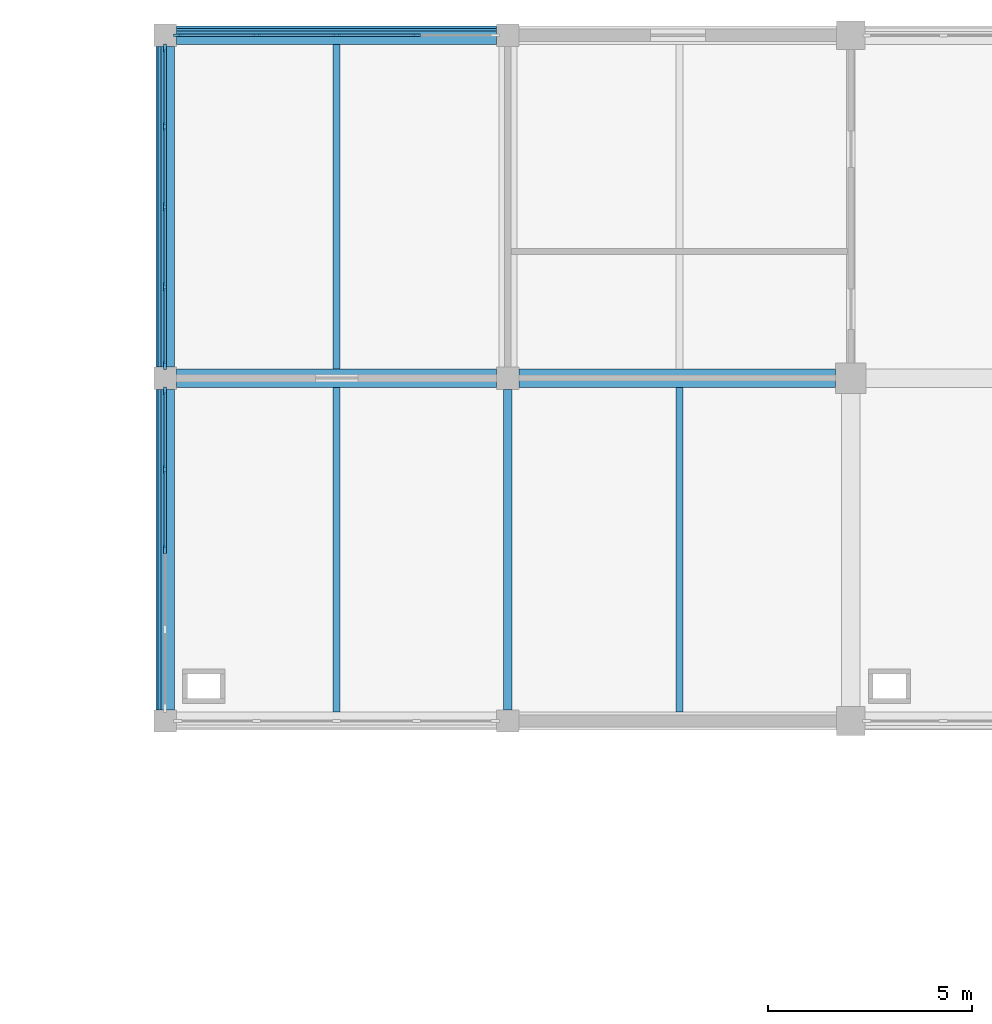
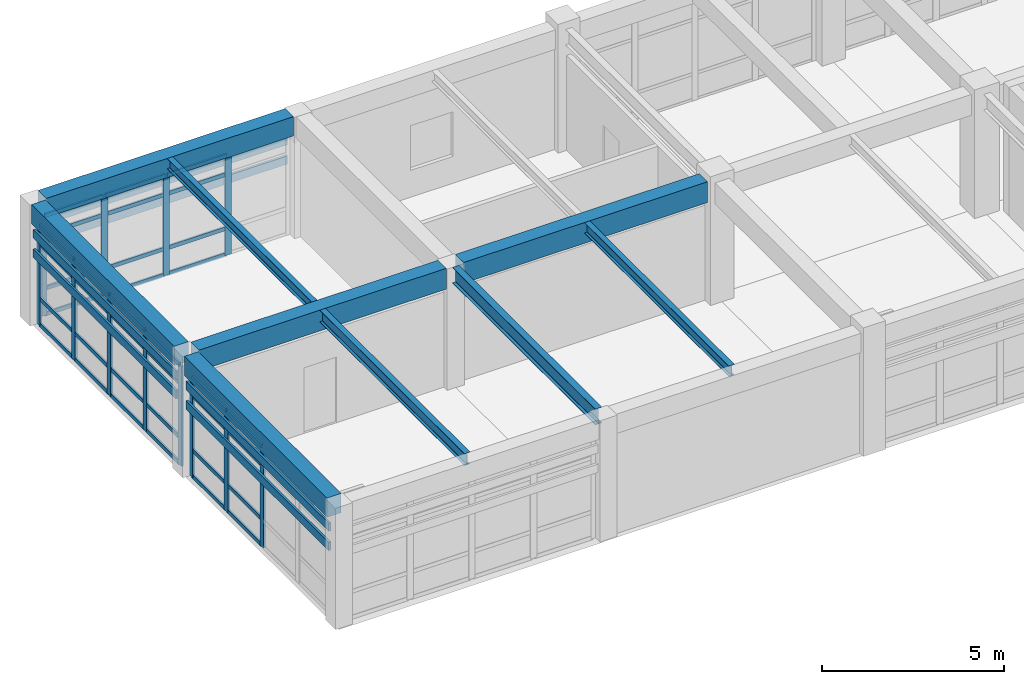
# One storey, part 31 of 74: 54 members, 9 beams, 3 elements without a shape of their own.
"""IFC4 building model written with IfcOpenShell, lengths in metres."""

from ifc_helpers import new_model, si_unit, direction, frame, origin, origin_2d, place, context, subcontext, project, spatial, rectangle, i_section, extrude, material, layer, layer_set, material_profile, profile_set, type_object, element, aggregate, save


model = new_model("IFC4")

# Units and contexts
model_context = context("Model", 3, precision=1e-05, world=origin(), true_north=direction((0.0, 1.0)))
body_context = subcontext(model_context, "Body", "Model", "MODEL_VIEW")
ifc_project = project(units=[si_unit("LENGTHUNIT", "METRE"), si_unit("AREAUNIT", "SQUARE_METRE"), si_unit("VOLUMEUNIT", "CUBIC_METRE"), si_unit("PLANEANGLEUNIT", "RADIAN"), si_unit("MASSUNIT", "GRAM", prefix="KILO")], contexts=[model_context])

# Site, building, storey
site_placement = place(None, origin())
site = spatial("IfcSite", under=ifc_project, at=site_placement, CompositionType="ELEMENT")
building_placement = place(site_placement, origin())
building = spatial("IfcBuilding", under=site, at=building_placement, Name="Porcellanite Civic Hall", CompositionType="ELEMENT")
storey_placement = place(building_placement, frame((0.0, 0.0, 14.760009765625)))
storey = spatial("IfcBuildingStorey", under=building, at=storey_placement, Name="L03", CompositionType="ELEMENT", Elevation=14.760009765625)

# Beams
ifc_material_1 = material(Name="Concrete N50 (50 MPa)", Category="concrete")
ifc_material_profile_1 = material_profile(ifc_material_1, rectangle(XDim=0.449951171875, YDim=0.64990234375, at=origin_2d()), Name="RC-450x650")
ifc_profile_set_1 = profile_set([ifc_material_profile_1], Name="Concrete N50 (50 MPa)")
beam_type_1 = type_object("IfcBeamType", Name="BM-RC650", PredefinedType="SPANDREL", material=ifc_profile_set_1)
beam_1_placement = place(storey_placement, frame((25.474609375, 117.60009765625, 3.744873046875), z_axis=(1.0, 0.0, 0.0), x_axis=(0.0, 1.0, 0.0)))
element("IfcBeam", 1, at=beam_1_placement, inside=storey, type_object=beam_type_1, Name="Beam X L03 4-15", PredefinedType="SPANDREL", context=body_context, shape_type="SweptSolid", body=[
    extrude(rectangle(XDim=0.449951171875, YDim=0.64990234375, at=origin_2d()), origin(), (0.0, 0.0, 1.0), 7.850830078125),
])
beam_2_placement = place(storey_placement, frame((25.199951171875, 101.074462890625, 3.744873046875), z_axis=(0.0, 1.0, 0.0), x_axis=(-1.0, 0.0, 0.0)))
element("IfcBeam", 2, at=beam_2_placement, inside=storey, type_object=beam_type_1, Name="Beam Y L03 4-13", PredefinedType="SPANDREL", context=body_context, shape_type="SweptSolid", body=[
    extrude(rectangle(XDim=0.449951171875, YDim=0.64990234375, at=origin_2d()), origin(), (0.0, 0.0, 1.0), 7.85107421875),
])
beam_3_placement = place(storey_placement, frame((25.199951171875, 109.474609375, 3.744873046875), z_axis=(0.0, 1.0, 0.0), x_axis=(-1.0, 0.0, 0.0)))
element("IfcBeam", 3, at=beam_3_placement, inside=storey, type_object=beam_type_1, Name="Beam Y L03 4-14", PredefinedType="SPANDREL", context=body_context, shape_type="SweptSolid", body=[
    extrude(rectangle(XDim=0.449951171875, YDim=0.64990234375, at=origin_2d()), origin(), (0.0, 0.0, 1.0), 7.850830078125),
])
ifc_material_2 = material(Name="Concrete N50 (50 MPa)", Category="concrete")
ifc_material_profile_2 = material_profile(ifc_material_2, rectangle(XDim=0.449951171875, YDim=0.699951171875, at=origin_2d()), Name="RC-450x700")
ifc_profile_set_2 = profile_set([ifc_material_profile_2], Name="Concrete N50 (50 MPa)")
beam_type_2 = type_object("IfcBeamType", Name="BM-RC700", PredefinedType="BEAM", material=ifc_profile_set_2)
beam_4_placement = place(storey_placement, frame((25.474609375, 109.199951171875, 3.719970703125), z_axis=(1.0, 0.0, 0.0), x_axis=(0.0, 1.0, 0.0)))
element("IfcBeam", 4, at=beam_4_placement, inside=storey, type_object=beam_type_2, Name="Beam X L03 4-14", PredefinedType="BEAM", context=body_context, shape_type="SweptSolid", body=[
    extrude(rectangle(XDim=0.449951171875, YDim=0.699951171875, at=origin_2d()), origin(), (0.0, 0.0, 1.0), 7.850830078125),
])
beam_5_placement = place(storey_placement, frame((33.87451171875, 109.199951171875, 3.719970703125), z_axis=(1.0, 0.0, 0.0), x_axis=(0.0, 1.0, 0.0)))
element("IfcBeam", 5, at=beam_5_placement, inside=storey, type_object=beam_type_2, Name="Beam X L03 5-14", PredefinedType="BEAM", context=body_context, shape_type="SweptSolid", body=[
    extrude(rectangle(XDim=0.449951171875, YDim=0.699951171875, at=origin_2d()), origin(), (0.0, 0.0, 1.0), 7.7509765625),
])

# Curtain wall, members
ifc_material_3 = material(Name="Anodised aluminium and solar laminated glass", Category="aluminium")
ifc_layer = layer(ifc_material_3, 0.179931640625)
ifc_layer_set = layer_set([ifc_layer], Name="Anodised aluminium and solar laminated glass")
curtain_wall_type = type_object("IfcCurtainWallType", Name="CW-SYS05", PredefinedType="NOTDEFINED", material=ifc_layer_set)
curtain_wall_1_placement = place(storey_placement, origin())
curtain_wall_1 = element("IfcCurtainWall", 6, at=curtain_wall_1_placement, inside=storey, type_object=curtain_wall_type, Name="Curtain wall CW-188", PredefinedType="NOTDEFINED")
ifc_material_4 = material(Name="Anodised aluminium 6063-T6", Category="aluminium")
ifc_material_profile_3 = material_profile(ifc_material_4, rectangle(XDim=0.070068359375, YDim=0.199951171875, at=origin_2d()), Name="AL-70x200")
ifc_profile_set_3 = profile_set([ifc_material_profile_3], Name="Anodised aluminium 6063-T6")
member_type_1 = type_object("IfcMemberType", Name="CWM-05", PredefinedType="MULLION", material=ifc_profile_set_3)
member_1_placement = place(storey_placement, frame((25.199951171875, 105.0, 0.0), z_axis=(0.0, 0.0, 1.0), x_axis=(-1.0, 0.0, 0.0)))
member_1 = element("IfcMember", 7, at=member_1_placement, type_object=member_type_1, Name="CW-188 mullion 3", PredefinedType="MULLION", context=body_context, shape_type="SweptSolid", body=[
    extrude(rectangle(XDim=0.070068359375, YDim=0.199951171875, at=origin_2d()), origin(), (0.0, 0.0, 1.0), 3.369873046875),
])
member_2_placement = place(storey_placement, frame((25.199951171875, 106.9619140625, 0.0), z_axis=(0.0, 0.0, 1.0), x_axis=(-1.0, 0.0, 0.0)))
member_2 = element("IfcMember", 8, at=member_2_placement, type_object=member_type_1, Name="CW-188 mullion 4", PredefinedType="MULLION", context=body_context, shape_type="SweptSolid", body=[
    extrude(rectangle(XDim=0.070068359375, YDim=0.199951171875, at=origin_2d()), origin(), (0.0, 0.0, 1.0), 3.369873046875),
])
member_3_placement = place(storey_placement, frame((25.199951171875, 108.888916015625, 0.0), z_axis=(0.0, 0.0, 1.0), x_axis=(-1.0, 0.0, 0.0)))
member_3 = element("IfcMember", 9, at=member_3_placement, type_object=member_type_1, Name="CW-188 mullion 5", PredefinedType="MULLION", context=body_context, shape_type="SweptSolid", body=[
    extrude(rectangle(XDim=0.070068359375, YDim=0.199951171875, at=origin_2d()), origin(), (0.0, 0.0, 1.0), 3.369873046875),
])

curtain_wall_2_placement = place(storey_placement, origin())
curtain_wall_2 = element("IfcCurtainWall", 10, at=curtain_wall_2_placement, inside=storey, type_object=curtain_wall_type, Name="Curtain wall CW-189", PredefinedType="NOTDEFINED")
member_4_placement = place(storey_placement, frame((25.199951171875, 109.510986328125, 0.0), z_axis=(0.0, 0.0, 1.0), x_axis=(-1.0, 0.0, 0.0)))
member_4 = element("IfcMember", 11, at=member_4_placement, type_object=member_type_1, Name="CW-189 mullion 1", PredefinedType="MULLION", context=body_context, shape_type="SweptSolid", body=[
    extrude(rectangle(XDim=0.070068359375, YDim=0.199951171875, at=origin_2d()), origin(), (0.0, 0.0, 1.0), 3.369873046875),
])
member_5_placement = place(storey_placement, frame((25.199951171875, 111.43798828125, 0.0), z_axis=(0.0, 0.0, 1.0), x_axis=(-1.0, 0.0, 0.0)))
member_5 = element("IfcMember", 12, at=member_5_placement, type_object=member_type_1, Name="CW-189 mullion 2", PredefinedType="MULLION", context=body_context, shape_type="SweptSolid", body=[
    extrude(rectangle(XDim=0.070068359375, YDim=0.199951171875, at=origin_2d()), origin(), (0.0, 0.0, 1.0), 3.369873046875),
])
member_6_placement = place(storey_placement, frame((25.199951171875, 113.39990234375, 0.0), z_axis=(0.0, 0.0, 1.0), x_axis=(-1.0, 0.0, 0.0)))
member_6 = element("IfcMember", 13, at=member_6_placement, type_object=member_type_1, Name="CW-189 mullion 3", PredefinedType="MULLION", context=body_context, shape_type="SweptSolid", body=[
    extrude(rectangle(XDim=0.070068359375, YDim=0.199951171875, at=origin_2d()), origin(), (0.0, 0.0, 1.0), 3.369873046875),
])
member_7_placement = place(storey_placement, frame((25.199951171875, 115.362060546875, 0.0), z_axis=(0.0, 0.0, 1.0), x_axis=(-1.0, 0.0, 0.0)))
member_7 = element("IfcMember", 14, at=member_7_placement, type_object=member_type_1, Name="CW-189 mullion 4", PredefinedType="MULLION", context=body_context, shape_type="SweptSolid", body=[
    extrude(rectangle(XDim=0.070068359375, YDim=0.199951171875, at=origin_2d()), origin(), (0.0, 0.0, 1.0), 3.369873046875),
])
member_8_placement = place(storey_placement, frame((25.199951171875, 117.2890625, 0.0), z_axis=(0.0, 0.0, 1.0), x_axis=(-1.0, 0.0, 0.0)))
member_8 = element("IfcMember", 15, at=member_8_placement, type_object=member_type_1, Name="CW-189 mullion 5", PredefinedType="MULLION", context=body_context, shape_type="SweptSolid", body=[
    extrude(rectangle(XDim=0.070068359375, YDim=0.199951171875, at=origin_2d()), origin(), (0.0, 0.0, 1.0), 3.369873046875),
])

curtain_wall_3_placement = place(storey_placement, origin())
curtain_wall_3 = element("IfcCurtainWall", 16, at=curtain_wall_3_placement, inside=storey, type_object=curtain_wall_type, Name="Curtain wall CW-190", PredefinedType="NOTDEFINED")
member_9_placement = place(storey_placement, frame((25.510986328125, 117.60009765625, 0.0), z_axis=(0.0, 0.0, 1.0), x_axis=(0.0, 1.0, 0.0)))
member_9 = element("IfcMember", 17, at=member_9_placement, type_object=member_type_1, Name="CW-190 mullion 1", PredefinedType="MULLION", context=body_context, shape_type="SweptSolid", body=[
    extrude(rectangle(XDim=0.070068359375, YDim=0.199951171875, at=origin_2d()), origin(), (0.0, 0.0, 1.0), 3.369873046875),
])
member_10_placement = place(storey_placement, frame((27.43798828125, 117.60009765625, 0.0), z_axis=(0.0, 0.0, 1.0), x_axis=(0.0, 1.0, 0.0)))
member_10 = element("IfcMember", 18, at=member_10_placement, type_object=member_type_1, Name="CW-190 mullion 2", PredefinedType="MULLION", context=body_context, shape_type="SweptSolid", body=[
    extrude(rectangle(XDim=0.070068359375, YDim=0.199951171875, at=origin_2d()), origin(), (0.0, 0.0, 1.0), 3.369873046875),
])
member_11_placement = place(storey_placement, frame((29.39990234375, 117.60009765625, 0.0), z_axis=(0.0, 0.0, 1.0), x_axis=(0.0, 1.0, 0.0)))
member_11 = element("IfcMember", 19, at=member_11_placement, type_object=member_type_1, Name="CW-190 mullion 3", PredefinedType="MULLION", context=body_context, shape_type="SweptSolid", body=[
    extrude(rectangle(XDim=0.070068359375, YDim=0.199951171875, at=origin_2d()), origin(), (0.0, 0.0, 1.0), 3.369873046875),
])
member_12_placement = place(storey_placement, frame((31.362060546875, 117.60009765625, 0.0), z_axis=(0.0, 0.0, 1.0), x_axis=(0.0, 1.0, 0.0)))
member_12 = element("IfcMember", 20, at=member_12_placement, type_object=member_type_1, Name="CW-190 mullion 4", PredefinedType="MULLION", context=body_context, shape_type="SweptSolid", body=[
    extrude(rectangle(XDim=0.070068359375, YDim=0.199951171875, at=origin_2d()), origin(), (0.0, 0.0, 1.0), 3.369873046875),
])

# Member
ifc_material_5 = material(Name="Anodised aluminium 6063-T6", Category="aluminium")
ifc_material_profile_4 = material_profile(ifc_material_5, rectangle(XDim=0.06005859375, YDim=0.1298828125, at=origin_2d()), Name="AL-60x130")
ifc_profile_set_4 = profile_set([ifc_material_profile_4], Name="Anodised aluminium 6063-T6")
member_type_2 = type_object("IfcMemberType", Name="CWT-03", PredefinedType="USERDEFINED", material=ifc_profile_set_4)
member_13_placement = place(storey_placement, frame((25.199951171875, 105.034912109375, 0.030029296875), z_axis=(0.0, 1.0, 0.0), x_axis=(-1.0, 0.0, 0.0)))
member_13 = element("IfcMember", 21, at=member_13_placement, type_object=member_type_2, Name="CW-188 transom 3.1", ObjectType="TRANSOM", PredefinedType="USERDEFINED", context=body_context, shape_type="SweptSolid", body=[
    extrude(rectangle(XDim=0.06005859375, YDim=0.1298828125, at=origin_2d()), origin(), (0.0, 0.0, 1.0), 1.89208984375),
])

member_14_placement = place(storey_placement, frame((25.199951171875, 105.034912109375, 0.89990234375), z_axis=(0.0, 1.0, 0.0), x_axis=(-1.0, 0.0, 0.0)))
member_14 = element("IfcMember", 22, at=member_14_placement, type_object=member_type_2, Name="CW-188 transom 3.2", ObjectType="TRANSOM", PredefinedType="USERDEFINED", context=body_context, shape_type="SweptSolid", body=[
    extrude(rectangle(XDim=0.06005859375, YDim=0.1298828125, at=origin_2d()), origin(), (0.0, 0.0, 1.0), 1.89208984375),
])

member_15_placement = place(storey_placement, frame((25.199951171875, 105.034912109375, 2.719970703125), z_axis=(0.0, 1.0, 0.0), x_axis=(-1.0, 0.0, 0.0)))
member_15 = element("IfcMember", 23, at=member_15_placement, type_object=member_type_2, Name="CW-188 transom 3.3", ObjectType="TRANSOM", PredefinedType="USERDEFINED", context=body_context, shape_type="SweptSolid", body=[
    extrude(rectangle(XDim=0.06005859375, YDim=0.1298828125, at=origin_2d()), origin(), (0.0, 0.0, 1.0), 1.89208984375),
])

member_16_placement = place(storey_placement, frame((25.199951171875, 105.034912109375, 3.340087890625), z_axis=(0.0, 1.0, 0.0), x_axis=(-1.0, 0.0, 0.0)))
member_16 = element("IfcMember", 24, at=member_16_placement, type_object=member_type_2, Name="CW-188 transom 3.4", ObjectType="TRANSOM", PredefinedType="USERDEFINED", context=body_context, shape_type="SweptSolid", body=[
    extrude(rectangle(XDim=0.06005859375, YDim=0.1298828125, at=origin_2d()), origin(), (0.0, 0.0, 1.0), 1.89208984375),
])

member_17_placement = place(storey_placement, frame((25.199951171875, 106.9970703125, 0.030029296875), z_axis=(0.0, 1.0, 0.0), x_axis=(-1.0, 0.0, 0.0)))
member_17 = element("IfcMember", 25, at=member_17_placement, type_object=member_type_2, Name="CW-188 transom 4.1", ObjectType="TRANSOM", PredefinedType="USERDEFINED", context=body_context, shape_type="SweptSolid", body=[
    extrude(rectangle(XDim=0.06005859375, YDim=0.1298828125, at=origin_2d()), origin(), (0.0, 0.0, 1.0), 1.85693359375),
])

member_18_placement = place(storey_placement, frame((25.199951171875, 106.9970703125, 0.89990234375), z_axis=(0.0, 1.0, 0.0), x_axis=(-1.0, 0.0, 0.0)))
member_18 = element("IfcMember", 26, at=member_18_placement, type_object=member_type_2, Name="CW-188 transom 4.2", ObjectType="TRANSOM", PredefinedType="USERDEFINED", context=body_context, shape_type="SweptSolid", body=[
    extrude(rectangle(XDim=0.06005859375, YDim=0.1298828125, at=origin_2d()), origin(), (0.0, 0.0, 1.0), 1.85693359375),
])

member_19_placement = place(storey_placement, frame((25.199951171875, 106.9970703125, 2.719970703125), z_axis=(0.0, 1.0, 0.0), x_axis=(-1.0, 0.0, 0.0)))
member_19 = element("IfcMember", 27, at=member_19_placement, type_object=member_type_2, Name="CW-188 transom 4.3", ObjectType="TRANSOM", PredefinedType="USERDEFINED", context=body_context, shape_type="SweptSolid", body=[
    extrude(rectangle(XDim=0.06005859375, YDim=0.1298828125, at=origin_2d()), origin(), (0.0, 0.0, 1.0), 1.85693359375),
])

member_20_placement = place(storey_placement, frame((25.199951171875, 106.9970703125, 3.340087890625), z_axis=(0.0, 1.0, 0.0), x_axis=(-1.0, 0.0, 0.0)))
member_20 = element("IfcMember", 28, at=member_20_placement, type_object=member_type_2, Name="CW-188 transom 4.4", ObjectType="TRANSOM", PredefinedType="USERDEFINED", context=body_context, shape_type="SweptSolid", body=[
    extrude(rectangle(XDim=0.06005859375, YDim=0.1298828125, at=origin_2d()), origin(), (0.0, 0.0, 1.0), 1.85693359375),
])

aggregate(curtain_wall_1, [member_1, member_2, member_3, member_13, member_14, member_15, member_16, member_17, member_18, member_19, member_20])

member_21_placement = place(storey_placement, frame((25.199951171875, 109.5458984375, 0.030029296875), z_axis=(0.0, 1.0, 0.0), x_axis=(-1.0, 0.0, 0.0)))
member_21 = element("IfcMember", 29, at=member_21_placement, type_object=member_type_2, Name="CW-189 transom 1.1", ObjectType="TRANSOM", PredefinedType="USERDEFINED", context=body_context, shape_type="SweptSolid", body=[
    extrude(rectangle(XDim=0.06005859375, YDim=0.1298828125, at=origin_2d()), origin(), (0.0, 0.0, 1.0), 1.857177734375),
])

member_22_placement = place(storey_placement, frame((25.199951171875, 109.5458984375, 0.89990234375), z_axis=(0.0, 1.0, 0.0), x_axis=(-1.0, 0.0, 0.0)))
member_22 = element("IfcMember", 30, at=member_22_placement, type_object=member_type_2, Name="CW-189 transom 1.2", ObjectType="TRANSOM", PredefinedType="USERDEFINED", context=body_context, shape_type="SweptSolid", body=[
    extrude(rectangle(XDim=0.06005859375, YDim=0.1298828125, at=origin_2d()), origin(), (0.0, 0.0, 1.0), 1.857177734375),
])

member_23_placement = place(storey_placement, frame((25.199951171875, 109.5458984375, 2.719970703125), z_axis=(0.0, 1.0, 0.0), x_axis=(-1.0, 0.0, 0.0)))
member_23 = element("IfcMember", 31, at=member_23_placement, type_object=member_type_2, Name="CW-189 transom 1.3", ObjectType="TRANSOM", PredefinedType="USERDEFINED", context=body_context, shape_type="SweptSolid", body=[
    extrude(rectangle(XDim=0.06005859375, YDim=0.1298828125, at=origin_2d()), origin(), (0.0, 0.0, 1.0), 1.857177734375),
])

member_24_placement = place(storey_placement, frame((25.199951171875, 109.5458984375, 3.340087890625), z_axis=(0.0, 1.0, 0.0), x_axis=(-1.0, 0.0, 0.0)))
member_24 = element("IfcMember", 32, at=member_24_placement, type_object=member_type_2, Name="CW-189 transom 1.4", ObjectType="TRANSOM", PredefinedType="USERDEFINED", context=body_context, shape_type="SweptSolid", body=[
    extrude(rectangle(XDim=0.06005859375, YDim=0.1298828125, at=origin_2d()), origin(), (0.0, 0.0, 1.0), 1.857177734375),
])

member_25_placement = place(storey_placement, frame((25.199951171875, 111.472900390625, 0.030029296875), z_axis=(0.0, 1.0, 0.0), x_axis=(-1.0, 0.0, 0.0)))
member_25 = element("IfcMember", 33, at=member_25_placement, type_object=member_type_2, Name="CW-189 transom 2.1", ObjectType="TRANSOM", PredefinedType="USERDEFINED", context=body_context, shape_type="SweptSolid", body=[
    extrude(rectangle(XDim=0.06005859375, YDim=0.1298828125, at=origin_2d()), origin(), (0.0, 0.0, 1.0), 1.89208984375),
])

member_26_placement = place(storey_placement, frame((25.199951171875, 111.472900390625, 0.89990234375), z_axis=(0.0, 1.0, 0.0), x_axis=(-1.0, 0.0, 0.0)))
member_26 = element("IfcMember", 34, at=member_26_placement, type_object=member_type_2, Name="CW-189 transom 2.2", ObjectType="TRANSOM", PredefinedType="USERDEFINED", context=body_context, shape_type="SweptSolid", body=[
    extrude(rectangle(XDim=0.06005859375, YDim=0.1298828125, at=origin_2d()), origin(), (0.0, 0.0, 1.0), 1.89208984375),
])

member_27_placement = place(storey_placement, frame((25.199951171875, 111.472900390625, 2.719970703125), z_axis=(0.0, 1.0, 0.0), x_axis=(-1.0, 0.0, 0.0)))
member_27 = element("IfcMember", 35, at=member_27_placement, type_object=member_type_2, Name="CW-189 transom 2.3", ObjectType="TRANSOM", PredefinedType="USERDEFINED", context=body_context, shape_type="SweptSolid", body=[
    extrude(rectangle(XDim=0.06005859375, YDim=0.1298828125, at=origin_2d()), origin(), (0.0, 0.0, 1.0), 1.89208984375),
])

member_28_placement = place(storey_placement, frame((25.199951171875, 111.472900390625, 3.340087890625), z_axis=(0.0, 1.0, 0.0), x_axis=(-1.0, 0.0, 0.0)))
member_28 = element("IfcMember", 36, at=member_28_placement, type_object=member_type_2, Name="CW-189 transom 2.4", ObjectType="TRANSOM", PredefinedType="USERDEFINED", context=body_context, shape_type="SweptSolid", body=[
    extrude(rectangle(XDim=0.06005859375, YDim=0.1298828125, at=origin_2d()), origin(), (0.0, 0.0, 1.0), 1.89208984375),
])

member_29_placement = place(storey_placement, frame((25.199951171875, 113.43505859375, 0.030029296875), z_axis=(0.0, 1.0, 0.0), x_axis=(-1.0, 0.0, 0.0)))
member_29 = element("IfcMember", 37, at=member_29_placement, type_object=member_type_2, Name="CW-189 transom 3.1", ObjectType="TRANSOM", PredefinedType="USERDEFINED", context=body_context, shape_type="SweptSolid", body=[
    extrude(rectangle(XDim=0.06005859375, YDim=0.1298828125, at=origin_2d()), origin(), (0.0, 0.0, 1.0), 1.891845703125),
])

member_30_placement = place(storey_placement, frame((25.199951171875, 113.43505859375, 0.89990234375), z_axis=(0.0, 1.0, 0.0), x_axis=(-1.0, 0.0, 0.0)))
member_30 = element("IfcMember", 38, at=member_30_placement, type_object=member_type_2, Name="CW-189 transom 3.2", ObjectType="TRANSOM", PredefinedType="USERDEFINED", context=body_context, shape_type="SweptSolid", body=[
    extrude(rectangle(XDim=0.06005859375, YDim=0.1298828125, at=origin_2d()), origin(), (0.0, 0.0, 1.0), 1.891845703125),
])

member_31_placement = place(storey_placement, frame((25.199951171875, 113.43505859375, 2.719970703125), z_axis=(0.0, 1.0, 0.0), x_axis=(-1.0, 0.0, 0.0)))
member_31 = element("IfcMember", 39, at=member_31_placement, type_object=member_type_2, Name="CW-189 transom 3.3", ObjectType="TRANSOM", PredefinedType="USERDEFINED", context=body_context, shape_type="SweptSolid", body=[
    extrude(rectangle(XDim=0.06005859375, YDim=0.1298828125, at=origin_2d()), origin(), (0.0, 0.0, 1.0), 1.891845703125),
])

member_32_placement = place(storey_placement, frame((25.199951171875, 113.43505859375, 3.340087890625), z_axis=(0.0, 1.0, 0.0), x_axis=(-1.0, 0.0, 0.0)))
member_32 = element("IfcMember", 40, at=member_32_placement, type_object=member_type_2, Name="CW-189 transom 3.4", ObjectType="TRANSOM", PredefinedType="USERDEFINED", context=body_context, shape_type="SweptSolid", body=[
    extrude(rectangle(XDim=0.06005859375, YDim=0.1298828125, at=origin_2d()), origin(), (0.0, 0.0, 1.0), 1.891845703125),
])

member_33_placement = place(storey_placement, frame((25.199951171875, 115.39697265625, 0.030029296875), z_axis=(0.0, 1.0, 0.0), x_axis=(-1.0, 0.0, 0.0)))
member_33 = element("IfcMember", 41, at=member_33_placement, type_object=member_type_2, Name="CW-189 transom 4.1", ObjectType="TRANSOM", PredefinedType="USERDEFINED", context=body_context, shape_type="SweptSolid", body=[
    extrude(rectangle(XDim=0.06005859375, YDim=0.1298828125, at=origin_2d()), origin(), (0.0, 0.0, 1.0), 1.85693359375),
])

member_34_placement = place(storey_placement, frame((25.199951171875, 115.39697265625, 0.89990234375), z_axis=(0.0, 1.0, 0.0), x_axis=(-1.0, 0.0, 0.0)))
member_34 = element("IfcMember", 42, at=member_34_placement, type_object=member_type_2, Name="CW-189 transom 4.2", ObjectType="TRANSOM", PredefinedType="USERDEFINED", context=body_context, shape_type="SweptSolid", body=[
    extrude(rectangle(XDim=0.06005859375, YDim=0.1298828125, at=origin_2d()), origin(), (0.0, 0.0, 1.0), 1.85693359375),
])

member_35_placement = place(storey_placement, frame((25.199951171875, 115.39697265625, 2.719970703125), z_axis=(0.0, 1.0, 0.0), x_axis=(-1.0, 0.0, 0.0)))
member_35 = element("IfcMember", 43, at=member_35_placement, type_object=member_type_2, Name="CW-189 transom 4.3", ObjectType="TRANSOM", PredefinedType="USERDEFINED", context=body_context, shape_type="SweptSolid", body=[
    extrude(rectangle(XDim=0.06005859375, YDim=0.1298828125, at=origin_2d()), origin(), (0.0, 0.0, 1.0), 1.85693359375),
])

member_36_placement = place(storey_placement, frame((25.199951171875, 115.39697265625, 3.340087890625), z_axis=(0.0, 1.0, 0.0), x_axis=(-1.0, 0.0, 0.0)))
member_36 = element("IfcMember", 44, at=member_36_placement, type_object=member_type_2, Name="CW-189 transom 4.4", ObjectType="TRANSOM", PredefinedType="USERDEFINED", context=body_context, shape_type="SweptSolid", body=[
    extrude(rectangle(XDim=0.06005859375, YDim=0.1298828125, at=origin_2d()), origin(), (0.0, 0.0, 1.0), 1.85693359375),
])

aggregate(curtain_wall_2, [member_4, member_5, member_6, member_7, member_8, member_21, member_22, member_23, member_24, member_25, member_26, member_27, member_28, member_29, member_30, member_31, member_32, member_33, member_34, member_35, member_36])

member_37_placement = place(storey_placement, frame((25.5458984375, 117.60009765625, 0.030029296875), z_axis=(1.0, 0.0, 0.0), x_axis=(0.0, 1.0, 0.0)))
member_37 = element("IfcMember", 45, at=member_37_placement, type_object=member_type_2, Name="CW-190 transom 1.1", ObjectType="TRANSOM", PredefinedType="USERDEFINED", context=body_context, shape_type="SweptSolid", body=[
    extrude(rectangle(XDim=0.06005859375, YDim=0.1298828125, at=origin_2d()), origin(), (0.0, 0.0, 1.0), 1.857177734375),
])

member_38_placement = place(storey_placement, frame((25.5458984375, 117.60009765625, 0.89990234375), z_axis=(1.0, 0.0, 0.0), x_axis=(0.0, 1.0, 0.0)))
member_38 = element("IfcMember", 46, at=member_38_placement, type_object=member_type_2, Name="CW-190 transom 1.2", ObjectType="TRANSOM", PredefinedType="USERDEFINED", context=body_context, shape_type="SweptSolid", body=[
    extrude(rectangle(XDim=0.06005859375, YDim=0.1298828125, at=origin_2d()), origin(), (0.0, 0.0, 1.0), 1.857177734375),
])

member_39_placement = place(storey_placement, frame((25.5458984375, 117.60009765625, 2.719970703125), z_axis=(1.0, 0.0, 0.0), x_axis=(0.0, 1.0, 0.0)))
member_39 = element("IfcMember", 47, at=member_39_placement, type_object=member_type_2, Name="CW-190 transom 1.3", ObjectType="TRANSOM", PredefinedType="USERDEFINED", context=body_context, shape_type="SweptSolid", body=[
    extrude(rectangle(XDim=0.06005859375, YDim=0.1298828125, at=origin_2d()), origin(), (0.0, 0.0, 1.0), 1.857177734375),
])

member_40_placement = place(storey_placement, frame((25.5458984375, 117.60009765625, 3.340087890625), z_axis=(1.0, 0.0, 0.0), x_axis=(0.0, 1.0, 0.0)))
member_40 = element("IfcMember", 48, at=member_40_placement, type_object=member_type_2, Name="CW-190 transom 1.4", ObjectType="TRANSOM", PredefinedType="USERDEFINED", context=body_context, shape_type="SweptSolid", body=[
    extrude(rectangle(XDim=0.06005859375, YDim=0.1298828125, at=origin_2d()), origin(), (0.0, 0.0, 1.0), 1.857177734375),
])

member_41_placement = place(storey_placement, frame((27.472900390625, 117.60009765625, 0.030029296875), z_axis=(1.0, 0.0, 0.0), x_axis=(0.0, 1.0, 0.0)))
member_41 = element("IfcMember", 49, at=member_41_placement, type_object=member_type_2, Name="CW-190 transom 2.1", ObjectType="TRANSOM", PredefinedType="USERDEFINED", context=body_context, shape_type="SweptSolid", body=[
    extrude(rectangle(XDim=0.06005859375, YDim=0.1298828125, at=origin_2d()), origin(), (0.0, 0.0, 1.0), 1.89208984375),
])

member_42_placement = place(storey_placement, frame((27.472900390625, 117.60009765625, 0.89990234375), z_axis=(1.0, 0.0, 0.0), x_axis=(0.0, 1.0, 0.0)))
member_42 = element("IfcMember", 50, at=member_42_placement, type_object=member_type_2, Name="CW-190 transom 2.2", ObjectType="TRANSOM", PredefinedType="USERDEFINED", context=body_context, shape_type="SweptSolid", body=[
    extrude(rectangle(XDim=0.06005859375, YDim=0.1298828125, at=origin_2d()), origin(), (0.0, 0.0, 1.0), 1.89208984375),
])

member_43_placement = place(storey_placement, frame((27.472900390625, 117.60009765625, 2.719970703125), z_axis=(1.0, 0.0, 0.0), x_axis=(0.0, 1.0, 0.0)))
member_43 = element("IfcMember", 51, at=member_43_placement, type_object=member_type_2, Name="CW-190 transom 2.3", ObjectType="TRANSOM", PredefinedType="USERDEFINED", context=body_context, shape_type="SweptSolid", body=[
    extrude(rectangle(XDim=0.06005859375, YDim=0.1298828125, at=origin_2d()), origin(), (0.0, 0.0, 1.0), 1.89208984375),
])

member_44_placement = place(storey_placement, frame((27.472900390625, 117.60009765625, 3.340087890625), z_axis=(1.0, 0.0, 0.0), x_axis=(0.0, 1.0, 0.0)))
member_44 = element("IfcMember", 52, at=member_44_placement, type_object=member_type_2, Name="CW-190 transom 2.4", ObjectType="TRANSOM", PredefinedType="USERDEFINED", context=body_context, shape_type="SweptSolid", body=[
    extrude(rectangle(XDim=0.06005859375, YDim=0.1298828125, at=origin_2d()), origin(), (0.0, 0.0, 1.0), 1.89208984375),
])

member_45_placement = place(storey_placement, frame((29.43505859375, 117.60009765625, 0.030029296875), z_axis=(1.0, 0.0, 0.0), x_axis=(0.0, 1.0, 0.0)))
member_45 = element("IfcMember", 53, at=member_45_placement, type_object=member_type_2, Name="CW-190 transom 3.1", ObjectType="TRANSOM", PredefinedType="USERDEFINED", context=body_context, shape_type="SweptSolid", body=[
    extrude(rectangle(XDim=0.06005859375, YDim=0.1298828125, at=origin_2d()), origin(), (0.0, 0.0, 1.0), 1.891845703125),
])

member_46_placement = place(storey_placement, frame((29.43505859375, 117.60009765625, 0.89990234375), z_axis=(1.0, 0.0, 0.0), x_axis=(0.0, 1.0, 0.0)))
member_46 = element("IfcMember", 54, at=member_46_placement, type_object=member_type_2, Name="CW-190 transom 3.2", ObjectType="TRANSOM", PredefinedType="USERDEFINED", context=body_context, shape_type="SweptSolid", body=[
    extrude(rectangle(XDim=0.06005859375, YDim=0.1298828125, at=origin_2d()), origin(), (0.0, 0.0, 1.0), 1.891845703125),
])

member_47_placement = place(storey_placement, frame((29.43505859375, 117.60009765625, 2.719970703125), z_axis=(1.0, 0.0, 0.0), x_axis=(0.0, 1.0, 0.0)))
member_47 = element("IfcMember", 55, at=member_47_placement, type_object=member_type_2, Name="CW-190 transom 3.3", ObjectType="TRANSOM", PredefinedType="USERDEFINED", context=body_context, shape_type="SweptSolid", body=[
    extrude(rectangle(XDim=0.06005859375, YDim=0.1298828125, at=origin_2d()), origin(), (0.0, 0.0, 1.0), 1.891845703125),
])

member_48_placement = place(storey_placement, frame((29.43505859375, 117.60009765625, 3.340087890625), z_axis=(1.0, 0.0, 0.0), x_axis=(0.0, 1.0, 0.0)))
member_48 = element("IfcMember", 56, at=member_48_placement, type_object=member_type_2, Name="CW-190 transom 3.4", ObjectType="TRANSOM", PredefinedType="USERDEFINED", context=body_context, shape_type="SweptSolid", body=[
    extrude(rectangle(XDim=0.06005859375, YDim=0.1298828125, at=origin_2d()), origin(), (0.0, 0.0, 1.0), 1.891845703125),
])

aggregate(curtain_wall_3, [member_9, member_10, member_11, member_12, member_37, member_38, member_39, member_40, member_41, member_42, member_43, member_44, member_45, member_46, member_47, member_48])

# Beams
ifc_material_6 = material(Name="Steel Grade 350", Category="steel")
ifc_material_profile_5 = material_profile(ifc_material_6, i_section(OverallWidth=0.172119140625, OverallDepth=0.35888671875, WebThickness=0.008056640625, FlangeThickness=0.012939453125, FilletRadius=0.011474609375, at=origin_2d()), Name="360UB56.7")
ifc_profile_set_5 = profile_set([ifc_material_profile_5], Name="Steel Grade 350")
beam_type_3 = type_object("IfcBeamType", Name="JST-360UB57", PredefinedType="JOIST", material=ifc_profile_set_5)
beam_6_placement = place(storey_placement, frame((29.39990234375, 109.424560546875, 3.890380859375), z_axis=(0.0, 1.0, 0.0), x_axis=(-1.0, 0.0, 0.0)))
element("IfcBeam", 57, at=beam_6_placement, inside=storey, type_object=beam_type_3, Name="Secondary joist L03 4-14", PredefinedType="JOIST", context=body_context, shape_type="SweptSolid", body=[
    extrude(i_section(OverallWidth=0.172119140625, OverallDepth=0.35888671875, WebThickness=0.008056640625, FlangeThickness=0.012939453125, FilletRadius=0.011474609375, at=origin_2d()), origin(), (0.0, 0.0, 1.0), 7.950927734375),
])
beam_7_placement = place(storey_placement, frame((37.800048828125, 101.0244140625, 3.890380859375), z_axis=(0.0, 1.0, 0.0), x_axis=(-1.0, 0.0, 0.0)))
element("IfcBeam", 58, at=beam_7_placement, inside=storey, type_object=beam_type_3, Name="Secondary joist L03 5-13", PredefinedType="JOIST", context=body_context, shape_type="SweptSolid", body=[
    extrude(i_section(OverallWidth=0.172119140625, OverallDepth=0.35888671875, WebThickness=0.008056640625, FlangeThickness=0.012939453125, FilletRadius=0.011474609375, at=origin_2d()), origin(), (0.0, 0.0, 1.0), 7.951171875),
])
ifc_material_7 = material(Name="Steel Grade 350", Category="steel")
ifc_material_profile_6 = material_profile(ifc_material_7, i_section(OverallWidth=0.177978515625, OverallDepth=0.403076171875, WebThickness=0.007568359375, FlangeThickness=0.010986328125, FilletRadius=0.011474609375, at=origin_2d()), Name="410UB53.7")
ifc_profile_set_6 = profile_set([ifc_material_profile_6], Name="Steel Grade 350")
beam_type_4 = type_object("IfcBeamType", Name="JST-410UB54", PredefinedType="JOIST", material=ifc_profile_set_6)
beam_8_placement = place(storey_placement, frame((29.39990234375, 101.0244140625, 3.868408203125), z_axis=(0.0, 1.0, 0.0), x_axis=(-1.0, 0.0, 0.0)))
element("IfcBeam", 59, at=beam_8_placement, inside=storey, type_object=beam_type_4, Name="Secondary joist L03 4-13", PredefinedType="JOIST", context=body_context, shape_type="SweptSolid", body=[
    extrude(i_section(OverallWidth=0.177978515625, OverallDepth=0.403076171875, WebThickness=0.007568359375, FlangeThickness=0.010986328125, FilletRadius=0.011474609375, at=origin_2d()), origin(), (0.0, 0.0, 1.0), 7.951171875),
])

# Members
ifc_material_8 = material(Name="Fluoropolymer bauxite-red aluminium 6063-T6", Category="aluminium")
ifc_material_profile_7 = material_profile(ifc_material_8, rectangle(XDim=0.070068359375, YDim=0.280029296875, at=origin_2d()), Name="AL-70x280")
ifc_profile_set_7 = profile_set([ifc_material_profile_7], Name="Fluoropolymer bauxite-red aluminium 6063-T6")
member_type_3 = type_object("IfcMemberType", Name="LV-BLD05", PredefinedType="USERDEFINED", material=ifc_profile_set_7)
for number, where, z_axis, x_axis, name in (
    (60, (25.06298828125, 101.074462890625, 3.070068359375), (0.0, 1.0, 0.0), (-1.0, 0.0, 0.0), "Cyclone sunshade louvre L03 W 3-12 1"),
    (61, (25.06298828125, 101.074462890625, 2.419921875), (0.0, 1.0, 0.0), (-1.0, 0.0, 0.0), "Cyclone sunshade louvre L03 W 3-12 2"),
):
    element("IfcMember", number, at=place(storey_placement, frame(where, z_axis=z_axis, x_axis=x_axis)), inside=storey, type_object=member_type_3, Name=name, ObjectType="LOUVRE BLADE", PredefinedType="USERDEFINED", context=body_context, shape_type="SweptSolid", body=[
        extrude(rectangle(XDim=0.070068359375, YDim=0.280029296875, at=origin_2d()), origin(), (0.0, 0.0, 1.0), 7.85107421875),
    ])
for number, where, z_axis, x_axis, name in (
    (62, (25.06298828125, 109.474609375, 3.070068359375), (0.0, 1.0, 0.0), (-1.0, 0.0, 0.0), "Cyclone sunshade louvre L03 W 3-13 1"),
    (63, (25.06298828125, 109.474609375, 2.419921875), (0.0, 1.0, 0.0), (-1.0, 0.0, 0.0), "Cyclone sunshade louvre L03 W 3-13 2"),
    (64, (25.474609375, 117.737060546875, 3.070068359375), (1.0, 0.0, 0.0), (0.0, 1.0, 0.0), "Cyclone sunshade louvre L03 N 3-13 1"),
    (65, (25.474609375, 117.737060546875, 2.419921875), (1.0, 0.0, 0.0), (0.0, 1.0, 0.0), "Cyclone sunshade louvre L03 N 3-13 2"),
):
    element("IfcMember", number, at=place(storey_placement, frame(where, z_axis=z_axis, x_axis=x_axis)), inside=storey, type_object=member_type_3, Name=name, ObjectType="LOUVRE BLADE", PredefinedType="USERDEFINED", context=body_context, shape_type="SweptSolid", body=[
        extrude(rectangle(XDim=0.070068359375, YDim=0.280029296875, at=origin_2d()), origin(), (0.0, 0.0, 1.0), 7.850830078125),
    ])

# Beam
ifc_material_9 = material(Name="Steel Grade 350", Category="steel")
ifc_material_profile_8 = material_profile(ifc_material_9, i_section(OverallWidth=0.208984375, OverallDepth=0.528076171875, WebThickness=0.009521484375, FlangeThickness=0.01318359375, FilletRadius=0.013916015625, at=origin_2d()), Name="530UB82.0")
ifc_profile_set_8 = profile_set([ifc_material_profile_8], Name="Steel Grade 350")
beam_type_5 = type_object("IfcBeamType", Name="RAF-530UB82", PredefinedType="BEAM", material=ifc_profile_set_8)
beam_9_placement = place(storey_placement, frame((33.60009765625, 101.074462890625, 3.805908203125), z_axis=(0.0, 1.0, 0.0), x_axis=(-1.0, 0.0, 0.0)))
element("IfcBeam", 66, at=beam_9_placement, inside=storey, type_object=beam_type_5, Name="Beam Y L03 5-13", PredefinedType="BEAM", context=body_context, shape_type="SweptSolid", body=[
    extrude(i_section(OverallWidth=0.208984375, OverallDepth=0.528076171875, WebThickness=0.009521484375, FlangeThickness=0.01318359375, FilletRadius=0.013916015625, at=origin_2d()), origin(), (0.0, 0.0, 1.0), 7.85107421875),
])

save(model, "model.ifc")
